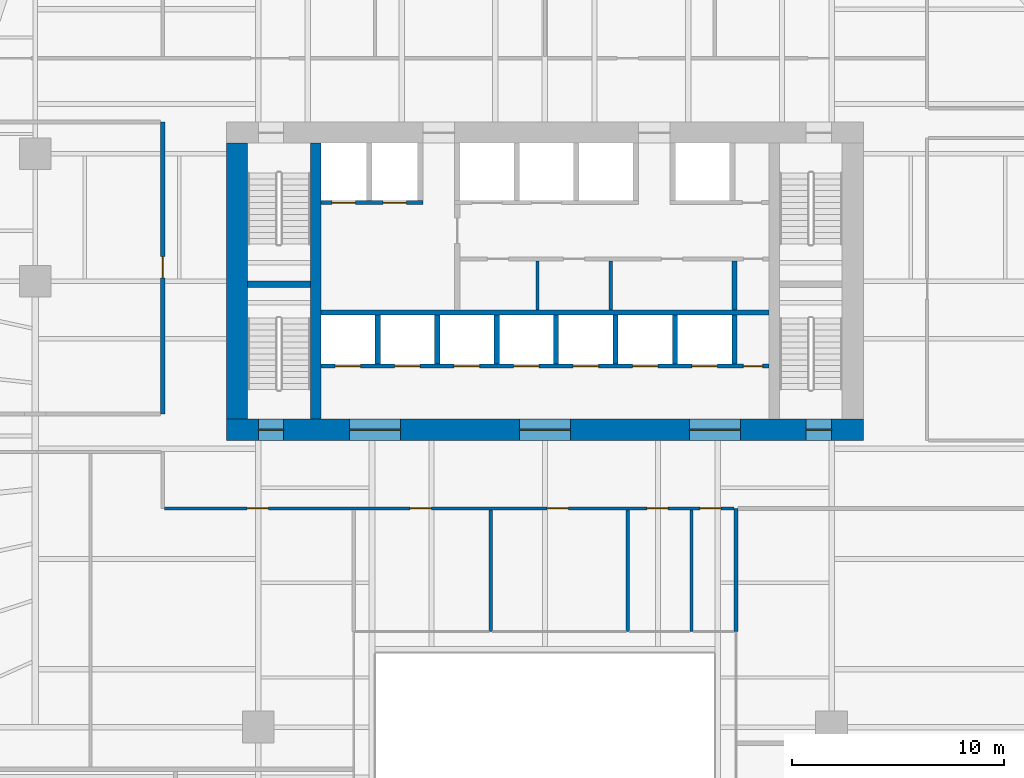
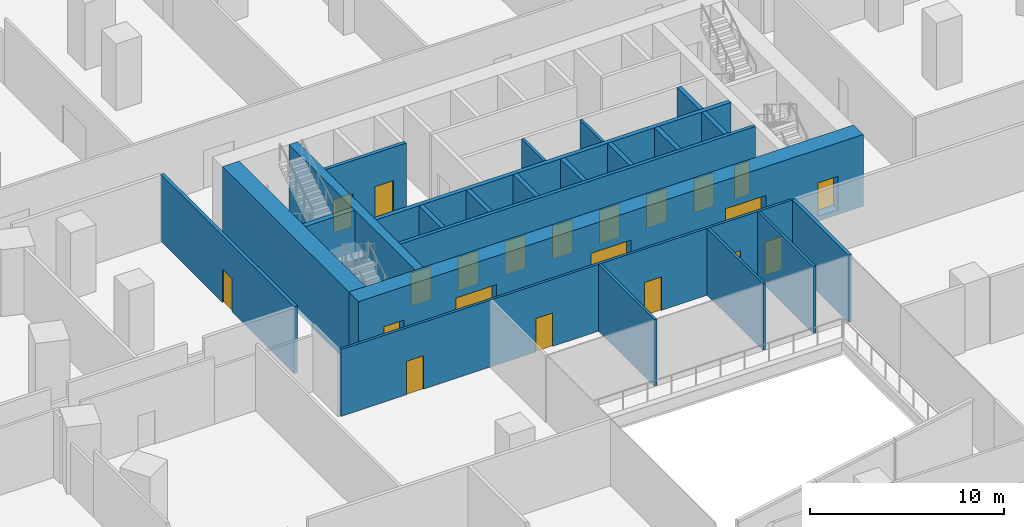
# One storey, part 17 of 29: 23 walls, 21 doors, 21 openings.
"""IFC4 building model written with IfcOpenShell, lengths in metres."""

from ifc_helpers import new_model, si_unit, direction, frame, frame_2d, origin, place, context, subcontext, project, spatial, rectangle, extrude, material, layer, layer_set, type_object, element, fill, save


model = new_model("IFC4")

# Units and contexts
model_context = context("Model", 3, precision=1e-05, world=origin(), true_north=direction((0.0, 1.0)))
body_context = subcontext(model_context, "Body", "Model", "MODEL_VIEW")
ifc_project = project(units=[si_unit("LENGTHUNIT", "METRE"), si_unit("AREAUNIT", "SQUARE_METRE"), si_unit("VOLUMEUNIT", "CUBIC_METRE"), si_unit("PLANEANGLEUNIT", "RADIAN"), si_unit("MASSUNIT", "GRAM", prefix="KILO")], contexts=[model_context])

# Site, building, storey
site_placement = place(None, origin())
site = spatial("IfcSite", under=ifc_project, at=site_placement, CompositionType="ELEMENT")
building_placement = place(site_placement, origin())
building = spatial("IfcBuilding", under=site, at=building_placement, Name="Isthmus Gate Tower", CompositionType="ELEMENT")
storey_placement = place(building_placement, frame((0.0, 0.0, 27.0)))
storey = spatial("IfcBuildingStorey", under=building, at=storey_placement, Name="L04", CompositionType="ELEMENT", Elevation=27.0)

# Wall, opening, door
ifc_material_1 = material(Name="Concrete f'c 30 MPa", Category="concrete")
ifc_layer_1 = layer(ifc_material_1, 0.199951171875)
ifc_layer_set_1 = layer_set([ifc_layer_1], Name="Fire-rated block wall 200")
wall_type_1 = type_object("IfcWallType", Name="Fire-rated block wall 200", PredefinedType="PARTITIONING", material=ifc_layer_set_1)
wall_1_placement = place(storey_placement, frame((-18.0, 1.251220703125, 0.0), z_axis=(0.0, 0.0, 1.0), x_axis=(0.0, 1.0, 0.0)))
wall_1 = element("IfcWall", 1, at=wall_1_placement, inside=storey, type_object=wall_type_1, Name="Fire-rated wall", PredefinedType="PARTITIONING", context=body_context, shape_type="SweptSolid", body=[
    extrude(rectangle(XDim=13.748779296875, YDim=0.199951171875, at=frame_2d((6.87451171875, 0.0))), origin(), (0.0, 0.0, 1.0), 4.199951171875),
])
opening_1_placement = place(wall_1_placement, frame((6.39990234375, 0.0, 0.0)))
opening_1 = element("IfcOpeningElement", 2, at=opening_1_placement, cuts=wall_1, Name="Opening DP04-39", PredefinedType="OPENING", context=body_context, shape_type="SweptSolid", body=[
    extrude(rectangle(XDim=1.0, YDim=2.10009765625, at=frame_2d((0.5, 1.050048828125))), frame((0.0, 0.10986328125, 0.0), z_axis=(0.0, -1.0, 0.0), x_axis=(1.0, 0.0, 0.0)), (0.0, 0.0, 1.0), 0.219970703125),
])
ifc_material_2 = material(Name="Steel fire door with intumescent seals", Category="steel")
door_type_1 = type_object("IfcDoorType", Name="Fire door 1000 x 2100", OperationType="SINGLE_SWING_LEFT", PredefinedType="DOOR", material=ifc_material_2)
door_1_placement = place(opening_1_placement, origin())
door_1 = element("IfcDoor", 3, at=door_1_placement, inside=storey, type_object=door_type_1, Name="Door DP04-39", OperationType="SINGLE_SWING_LEFT", OverallHeight=2.10009765625, OverallWidth=1.0, PredefinedType="DOOR", context=body_context, shape_type="SweptSolid", body=[
    extrude(rectangle(XDim=1.0, YDim=2.10009765625, at=frame_2d((0.5, 1.050048828125))), frame((0.0, 0.02490234375, 0.0), z_axis=(0.0, -1.0, 0.0), x_axis=(1.0, 0.0, 0.0)), (0.0, 0.0, 1.0), 0.050048828125),
])
fill(opening_1, door_1)

# Wall
wall_2_placement = place(storey_placement, frame((9.0, -9.0, 0.0), z_axis=(0.0, 0.0, 1.0), x_axis=(0.0, 1.0, 0.0)))
element("IfcWall", 4, at=wall_2_placement, inside=storey, type_object=wall_type_1, Name="Fire-rated wall", PredefinedType="PARTITIONING", context=body_context, shape_type="SweptSolid", body=[
    extrude(rectangle(XDim=5.800048828125, YDim=0.199951171875, at=frame_2d((2.89990234375, 0.0))), origin(), (0.0, 0.0, 1.0), 4.199951171875),
])

# Wall, openings, doors
ifc_material_3 = material(Name="Gypsum board on cold-formed steel studs", Category="steel")
ifc_layer_2 = layer(ifc_material_3, 0.14990234375)
ifc_layer_set_2 = layer_set([ifc_layer_2])
wall_type_2 = type_object("IfcWallType", Name="Partition 150 gypsum board on steel studs", PredefinedType="PARTITIONING", material=ifc_layer_set_2)
wall_3_placement = place(storey_placement, frame((-17.925048828125, -3.199951171875, 0.0), z_axis=(0.0, 0.0, 1.0), x_axis=(1.0, 0.0, 0.0)))
wall_3 = element("IfcWall", 5, at=wall_3_placement, inside=storey, type_object=wall_type_2, Name="Partition", PredefinedType="PARTITIONING", context=body_context, shape_type="SweptSolid", body=[
    extrude(rectangle(XDim=26.824951171875, YDim=0.14990234375, at=frame_2d((13.41259765625, 0.0))), origin(), (0.0, 0.0, 1.0), 4.199951171875),
])
opening_2_placement = place(wall_3_placement, frame((3.89990234375, 0.0, 0.0)))
opening_2 = element("IfcOpeningElement", 6, at=opening_2_placement, cuts=wall_3, Name="Opening DP04-17", PredefinedType="OPENING", context=body_context, shape_type="SweptSolid", body=[
    extrude(rectangle(XDim=1.0, YDim=2.10009765625, at=frame_2d((0.5, 1.050048828125))), frame((0.0, 0.0849609375, 0.0), z_axis=(0.0, -1.0, 0.0), x_axis=(1.0, 0.0, 0.0)), (0.0, 0.0, 1.0), 0.169921875),
])
opening_3_placement = place(wall_3_placement, frame((11.574951171875, 0.0, 0.0)))
opening_3 = element("IfcOpeningElement", 7, at=opening_3_placement, cuts=wall_3, Name="Opening DP04-27", PredefinedType="OPENING", context=body_context, shape_type="SweptSolid", body=[
    extrude(rectangle(XDim=1.0, YDim=2.10009765625, at=frame_2d((0.5, 1.050048828125))), frame((0.0, 0.0849609375, 0.0), z_axis=(0.0, -1.0, 0.0), x_axis=(1.0, 0.0, 0.0)), (0.0, 0.0, 1.0), 0.169921875),
])
opening_4_placement = place(wall_3_placement, frame((18.02490234375, 0.0, 0.0)))
opening_4 = element("IfcOpeningElement", 8, at=opening_4_placement, cuts=wall_3, Name="Opening DP04-28", PredefinedType="OPENING", context=body_context, shape_type="SweptSolid", body=[
    extrude(rectangle(XDim=1.0, YDim=2.10009765625, at=frame_2d((0.5, 1.050048828125))), frame((0.0, 0.0849609375, 0.0), z_axis=(0.0, -1.0, 0.0), x_axis=(1.0, 0.0, 0.0)), (0.0, 0.0, 1.0), 0.169921875),
])
opening_5_placement = place(wall_3_placement, frame((22.72509765625, 0.0, 0.0)))
opening_5 = element("IfcOpeningElement", 9, at=opening_5_placement, cuts=wall_3, Name="Opening DP04-29", PredefinedType="OPENING", context=body_context, shape_type="SweptSolid", body=[
    extrude(rectangle(XDim=1.0, YDim=2.10009765625, at=frame_2d((0.5, 1.050048828125))), frame((0.0, 0.0849609375, 0.0), z_axis=(0.0, -1.0, 0.0), x_axis=(1.0, 0.0, 0.0)), (0.0, 0.0, 1.0), 0.169921875),
])
opening_6_placement = place(wall_3_placement, frame((25.22509765625, 0.0, 0.0)))
opening_6 = element("IfcOpeningElement", 10, at=opening_6_placement, cuts=wall_3, Name="Opening DP04-30", PredefinedType="OPENING", context=body_context, shape_type="SweptSolid", body=[
    extrude(rectangle(XDim=1.0, YDim=2.10009765625, at=frame_2d((0.5, 1.050048828125))), frame((0.0, 0.0849609375, 0.0), z_axis=(0.0, -1.0, 0.0), x_axis=(1.0, 0.0, 0.0)), (0.0, 0.0, 1.0), 0.169921875),
])
ifc_material_4 = material(Name="Hollow metal frame with solid-core timber leaf", Category="wood")
door_type_2 = type_object("IfcDoorType", Name="Single swing door 1000 x 2100", OperationType="SINGLE_SWING_LEFT", PredefinedType="DOOR", material=ifc_material_4)
door_2_placement = place(opening_2_placement, origin())
door_2 = element("IfcDoor", 11, at=door_2_placement, inside=storey, type_object=door_type_2, Name="Door DP04-17", OperationType="SINGLE_SWING_LEFT", OverallHeight=2.10009765625, OverallWidth=1.0, PredefinedType="DOOR", context=body_context, shape_type="SweptSolid", body=[
    extrude(rectangle(XDim=1.0, YDim=2.10009765625, at=frame_2d((0.5, 1.050048828125))), frame((0.0, 0.02490234375, 0.0), z_axis=(0.0, -1.0, 0.0), x_axis=(1.0, 0.0, 0.0)), (0.0, 0.0, 1.0), 0.050048828125),
])
fill(opening_2, door_2)
door_3_placement = place(opening_3_placement, origin())
door_3 = element("IfcDoor", 12, at=door_3_placement, inside=storey, type_object=door_type_2, Name="Door DP04-27", OperationType="SINGLE_SWING_LEFT", OverallHeight=2.10009765625, OverallWidth=1.0, PredefinedType="DOOR", context=body_context, shape_type="SweptSolid", body=[
    extrude(rectangle(XDim=1.0, YDim=2.10009765625, at=frame_2d((0.5, 1.050048828125))), frame((0.0, 0.02490234375, 0.0), z_axis=(0.0, -1.0, 0.0), x_axis=(1.0, 0.0, 0.0)), (0.0, 0.0, 1.0), 0.050048828125),
])
fill(opening_3, door_3)
door_4_placement = place(opening_4_placement, origin())
door_4 = element("IfcDoor", 13, at=door_4_placement, inside=storey, type_object=door_type_2, Name="Door DP04-28", OperationType="SINGLE_SWING_LEFT", OverallHeight=2.10009765625, OverallWidth=1.0, PredefinedType="DOOR", context=body_context, shape_type="SweptSolid", body=[
    extrude(rectangle(XDim=1.0, YDim=2.10009765625, at=frame_2d((0.5, 1.050048828125))), frame((0.0, 0.02490234375, 0.0), z_axis=(0.0, -1.0, 0.0), x_axis=(1.0, 0.0, 0.0)), (0.0, 0.0, 1.0), 0.050048828125),
])
fill(opening_4, door_4)
door_5_placement = place(opening_5_placement, origin())
door_5 = element("IfcDoor", 14, at=door_5_placement, inside=storey, type_object=door_type_2, Name="Door DP04-29", OperationType="SINGLE_SWING_LEFT", OverallHeight=2.10009765625, OverallWidth=1.0, PredefinedType="DOOR", context=body_context, shape_type="SweptSolid", body=[
    extrude(rectangle(XDim=1.0, YDim=2.10009765625, at=frame_2d((0.5, 1.050048828125))), frame((0.0, 0.02490234375, 0.0), z_axis=(0.0, -1.0, 0.0), x_axis=(1.0, 0.0, 0.0)), (0.0, 0.0, 1.0), 0.050048828125),
])
fill(opening_5, door_5)
door_6_placement = place(opening_6_placement, origin())
door_6 = element("IfcDoor", 15, at=door_6_placement, inside=storey, type_object=door_type_2, Name="Door DP04-30", OperationType="SINGLE_SWING_LEFT", OverallHeight=2.10009765625, OverallWidth=1.0, PredefinedType="DOOR", context=body_context, shape_type="SweptSolid", body=[
    extrude(rectangle(XDim=1.0, YDim=2.10009765625, at=frame_2d((0.5, 1.050048828125))), frame((0.0, 0.02490234375, 0.0), z_axis=(0.0, -1.0, 0.0), x_axis=(1.0, 0.0, 0.0)), (0.0, 0.0, 1.0), 0.050048828125),
])
fill(opening_6, door_6)

# Walls
for number, where, z_axis, x_axis, name in (
    (16, (-2.550048828125, -9.0, 0.0), (0.0, 0.0, 1.0), (0.0, 1.0, 0.0), "Partition"),
    (17, (3.89990234375, -9.0, 0.0), (0.0, 0.0, 1.0), (0.0, 1.0, 0.0), "Partition"),
    (18, (6.89990234375, -9.0, 0.0), (0.0, 0.0, 1.0), (0.0, 1.0, 0.0), "Partition"),
):
    element("IfcWall", number, at=place(storey_placement, frame(where, z_axis=z_axis, x_axis=x_axis)), inside=storey, type_object=wall_type_2, Name=name, PredefinedType="PARTITIONING", context=body_context, shape_type="SweptSolid", body=[
        extrude(rectangle(XDim=5.72509765625, YDim=0.14990234375, at=frame_2d((2.862548828125, 0.0))), origin(), (0.0, 0.0, 1.0), 4.199951171875),
    ])
ifc_material_5 = material(Name="Concrete f'c 70 MPa", Category="concrete")
ifc_layer_3 = layer(ifc_material_5, 0.5)
ifc_layer_set_3 = layer_set([ifc_layer_3], Name="RC CORE SPINE WALL 500 F'C 70")
wall_type_3 = type_object("IfcWallType", Name="RC CORE SPINE WALL 500 F'C 70", PredefinedType="SOLIDWALL", material=ifc_layer_set_3)
wall_4_placement = place(storey_placement, frame((-10.800048828125, 1.0, -0.300048828125), z_axis=(0.0, 0.0, 1.0), x_axis=(0.0, 1.0, 0.0)))
element("IfcWall", 19, at=wall_4_placement, inside=storey, type_object=wall_type_3, Name="str-corewall-L04-SPW", PredefinedType="SOLIDWALL", context=body_context, shape_type="SweptSolid", body=[
    extrude(rectangle(XDim=13.0, YDim=0.5, at=frame_2d((6.5, 0.0))), origin(), (0.0, 0.0, 1.0), 4.5),
])

# Wall, openings, doors
ifc_material_6 = material(Name="Concrete f'c 70 MPa", Category="concrete")
ifc_layer_4 = layer(ifc_material_6, 1.0)
ifc_layer_set_4 = layer_set([ifc_layer_4], Name="RC CORE WALL 1000 F'C 70")
wall_type_4 = type_object("IfcWallType", Name="RC CORE WALL 1000 F'C 70", PredefinedType="SOLIDWALL", material=ifc_layer_set_4)
wall_5_placement = place(storey_placement, frame((-15.0, 0.5, -0.300048828125), z_axis=(0.0, 0.0, 1.0), x_axis=(1.0, 0.0, 0.0)))
wall_5 = element("IfcWall", 20, at=wall_5_placement, inside=storey, type_object=wall_type_4, Name="str-corewall-L04-S", PredefinedType="SOLIDWALL", context=body_context, shape_type="SweptSolid", body=[
    extrude(rectangle(XDim=30.0, YDim=1.0, at=frame_2d((15.0, 0.0))), origin(), (0.0, 0.0, 1.0), 4.5),
])
opening_7_placement = place(wall_5_placement, frame((5.800048828125, 0.0, 0.300048828125)))
opening_7 = element("IfcOpeningElement", 21, at=opening_7_placement, cuts=wall_5, Name="Opening DC-A05-08", PredefinedType="OPENING", context=body_context, shape_type="SweptSolid", body=[
    extrude(rectangle(XDim=2.39990234375, YDim=2.39990234375, at=frame_2d((1.199951171875, 1.199951171875))), frame((0.0, 0.510009765625, 0.0), z_axis=(0.0, -1.0, 0.0), x_axis=(1.0, 0.0, 0.0)), (0.0, 0.0, 1.0), 1.02001953125),
])
opening_8_placement = place(wall_5_placement, frame((13.800048828125, 0.0, 0.300048828125)))
opening_8 = element("IfcOpeningElement", 22, at=opening_8_placement, cuts=wall_5, Name="Opening DC-A05-09", PredefinedType="OPENING", context=body_context, shape_type="SweptSolid", body=[
    extrude(rectangle(XDim=2.39990234375, YDim=2.39990234375, at=frame_2d((1.199951171875, 1.199951171875))), frame((0.0, 0.510009765625, 0.0), z_axis=(0.0, -1.0, 0.0), x_axis=(1.0, 0.0, 0.0)), (0.0, 0.0, 1.0), 1.02001953125),
])
opening_9_placement = place(wall_5_placement, frame((21.800048828125, 0.0, 0.300048828125)))
opening_9 = element("IfcOpeningElement", 23, at=opening_9_placement, cuts=wall_5, Name="Opening DC-A05-10", PredefinedType="OPENING", context=body_context, shape_type="SweptSolid", body=[
    extrude(rectangle(XDim=2.39990234375, YDim=2.39990234375, at=frame_2d((1.199951171875, 1.199951171875))), frame((0.0, 0.510009765625, 0.0), z_axis=(0.0, -1.0, 0.0), x_axis=(1.0, 0.0, 0.0)), (0.0, 0.0, 1.0), 1.02001953125),
])
opening_10_placement = place(wall_5_placement, frame((1.5, 0.0, 0.300048828125)))
opening_10 = element("IfcOpeningElement", 24, at=opening_10_placement, cuts=wall_5, Name="Opening DC-A05-15", PredefinedType="OPENING", context=body_context, shape_type="SweptSolid", body=[
    extrude(rectangle(XDim=1.199951171875, YDim=2.10009765625, at=frame_2d((0.60009765625, 1.050048828125))), frame((0.0, 0.510009765625, 0.0), z_axis=(0.0, -1.0, 0.0), x_axis=(1.0, 0.0, 0.0)), (0.0, 0.0, 1.0), 1.02001953125),
])
opening_11_placement = place(wall_5_placement, frame((27.300048828125, 0.0, 0.300048828125)))
opening_11 = element("IfcOpeningElement", 25, at=opening_11_placement, cuts=wall_5, Name="Opening DC-A05-16", PredefinedType="OPENING", context=body_context, shape_type="SweptSolid", body=[
    extrude(rectangle(XDim=1.199951171875, YDim=2.10009765625, at=frame_2d((0.60009765625, 1.050048828125))), frame((0.0, 0.510009765625, 0.0), z_axis=(0.0, -1.0, 0.0), x_axis=(1.0, 0.0, 0.0)), (0.0, 0.0, 1.0), 1.02001953125),
])
ifc_material_7 = material(Name="Laminated safety glass in steel frame, fire-rated", Category="steel")
door_type_3 = type_object("IfcDoorType", Name="LOBBY ENTRANCE FIRE DOOR 2400 X 2400 60 MIN", OperationType="DOUBLE_DOOR_DOUBLE_SWING", PredefinedType="DOOR", material=ifc_material_7)
door_7_placement = place(opening_7_placement, origin())
door_7 = element("IfcDoor", 26, at=door_7_placement, inside=storey, type_object=door_type_3, Name="Lobby Entrance PS-W", OperationType="DOUBLE_DOOR_DOUBLE_SWING", OverallHeight=2.39990234375, OverallWidth=2.39990234375, PredefinedType="DOOR", context=body_context, shape_type="SweptSolid", body=[
    extrude(rectangle(XDim=2.39990234375, YDim=2.39990234375, at=frame_2d((1.199951171875, 1.199951171875))), frame((0.0, 0.02490234375, 0.0), z_axis=(0.0, -1.0, 0.0), x_axis=(1.0, 0.0, 0.0)), (0.0, 0.0, 1.0), 0.050048828125),
])
fill(opening_7, door_7)
door_8_placement = place(opening_8_placement, origin())
door_8 = element("IfcDoor", 27, at=door_8_placement, inside=storey, type_object=door_type_3, Name="Lobby Entrance PS-C", OperationType="DOUBLE_DOOR_DOUBLE_SWING", OverallHeight=2.39990234375, OverallWidth=2.39990234375, PredefinedType="DOOR", context=body_context, shape_type="SweptSolid", body=[
    extrude(rectangle(XDim=2.39990234375, YDim=2.39990234375, at=frame_2d((1.199951171875, 1.199951171875))), frame((0.0, 0.02490234375, 0.0), z_axis=(0.0, -1.0, 0.0), x_axis=(1.0, 0.0, 0.0)), (0.0, 0.0, 1.0), 0.050048828125),
])
fill(opening_8, door_8)
door_9_placement = place(opening_9_placement, origin())
door_9 = element("IfcDoor", 28, at=door_9_placement, inside=storey, type_object=door_type_3, Name="Lobby Entrance PS-E", OperationType="DOUBLE_DOOR_DOUBLE_SWING", OverallHeight=2.39990234375, OverallWidth=2.39990234375, PredefinedType="DOOR", context=body_context, shape_type="SweptSolid", body=[
    extrude(rectangle(XDim=2.39990234375, YDim=2.39990234375, at=frame_2d((1.199951171875, 1.199951171875))), frame((0.0, 0.02490234375, 0.0), z_axis=(0.0, -1.0, 0.0), x_axis=(1.0, 0.0, 0.0)), (0.0, 0.0, 1.0), 0.050048828125),
])
fill(opening_9, door_9)
ifc_material_8 = material(Name="Steel door leaf, fire-rated", Category="steel")
door_type_4 = type_object("IfcDoorType", Name="STAIR FIRE DOOR 1200 X 2100 90 MIN", OperationType="SINGLE_SWING_LEFT", PredefinedType="DOOR", material=ifc_material_8)
door_10_placement = place(opening_10_placement, origin())
door_10 = element("IfcDoor", 29, at=door_10_placement, inside=storey, type_object=door_type_4, Name="Exit Stair 7 Door", OperationType="SINGLE_SWING_LEFT", OverallHeight=2.10009765625, OverallWidth=1.199951171875, PredefinedType="DOOR", context=body_context, shape_type="SweptSolid", body=[
    extrude(rectangle(XDim=1.199951171875, YDim=2.10009765625, at=frame_2d((0.60009765625, 1.050048828125))), frame((0.0, 0.02490234375, 0.0), z_axis=(0.0, -1.0, 0.0), x_axis=(1.0, 0.0, 0.0)), (0.0, 0.0, 1.0), 0.050048828125),
])
fill(opening_10, door_10)
door_11_placement = place(opening_11_placement, origin())
door_11 = element("IfcDoor", 30, at=door_11_placement, inside=storey, type_object=door_type_4, Name="Exit Stair 8 Door", OperationType="SINGLE_SWING_RIGHT", OverallHeight=2.10009765625, OverallWidth=1.199951171875, PredefinedType="DOOR", context=body_context, shape_type="SweptSolid", body=[
    extrude(rectangle(XDim=1.199951171875, YDim=2.10009765625, at=frame_2d((0.60009765625, 1.050048828125))), frame((0.0, 0.02490234375, 0.0), z_axis=(0.0, -1.0, 0.0), x_axis=(1.0, 0.0, 0.0)), (0.0, 0.0, 1.0), 0.050048828125),
])
fill(opening_11, door_11)

# Walls
wall_6_placement = place(storey_placement, frame((-14.5, 1.0, -0.300048828125), z_axis=(0.0, 0.0, 1.0), x_axis=(0.0, 1.0, 0.0)))
element("IfcWall", 31, at=wall_6_placement, inside=storey, type_object=wall_type_4, Name="str-corewall-L04-W", PredefinedType="SOLIDWALL", context=body_context, shape_type="SweptSolid", body=[
    extrude(rectangle(XDim=13.0, YDim=1.0, at=frame_2d((6.5, 0.0))), origin(), (0.0, 0.0, 1.0), 4.5),
])
ifc_material_9 = material(Name="Gypsum board on steel studs, fire-rated", Category="steel")
ifc_layer_5 = layer(ifc_material_9, 0.14990234375)
ifc_layer_set_5 = layer_set([ifc_layer_5], Name="ROOM PARTITION 150 60 MIN")
wall_type_5 = type_object("IfcWallType", Name="ROOM PARTITION 150 60 MIN", PredefinedType="PARTITIONING", material=ifc_layer_set_5)
for number, where, z_axis, x_axis, name in (
    (32, (-0.35009765625, 6.14990234375, 0.0), (0.0, 0.0, 1.0), (0.0, 1.0, 0.0), "L04 ROOM PARTITION 150 60 MIN"),
    (33, (3.10009765625, 6.14990234375, 0.0), (0.0, 0.0, 1.0), (0.0, 1.0, 0.0), "L04 ROOM PARTITION 150 60 MIN"),
):
    element("IfcWall", number, at=place(storey_placement, frame(where, z_axis=z_axis, x_axis=x_axis)), inside=storey, type_object=wall_type_5, Name=name, PredefinedType="PARTITIONING", context=body_context, shape_type="SweptSolid", body=[
        extrude(rectangle(XDim=2.300048828125, YDim=0.14990234375, at=frame_2d((1.14990234375, 0.0))), origin(), (0.0, 0.0, 1.0), 4.199951171875),
    ])

# Wall, openings, doors
ifc_material_10 = material(Name="Fire-rated blockwork masonry, 15 MPa", Category="masonry")
ifc_layer_6 = layer(ifc_material_10, 0.199951171875)
ifc_layer_set_6 = layer_set([ifc_layer_6], Name="SHAFT FRONT WALL 200 120 MIN")
wall_type_6 = type_object("IfcWallType", Name="SHAFT FRONT WALL 200 120 MIN", PredefinedType="PARTITIONING", material=ifc_layer_set_6)
wall_7_placement = place(storey_placement, frame((-10.550048828125, 3.5, 0.0), z_axis=(0.0, 0.0, 1.0), x_axis=(1.0, 0.0, 0.0)))
wall_7 = element("IfcWall", 34, at=wall_7_placement, inside=storey, type_object=wall_type_6, Name="L04 SHAFT FRONT WALL 200 120 MIN", PredefinedType="PARTITIONING", context=body_context, shape_type="SweptSolid", body=[
    extrude(rectangle(XDim=21.10009765625, YDim=0.199951171875, at=frame_2d((10.550048828125, 0.0))), origin(), (0.0, 0.0, 1.0), 4.199951171875),
])
opening_12_placement = place(wall_7_placement, frame((0.675048828125, 0.0, 0.0)))
opening_12 = element("IfcOpeningElement", 35, at=opening_12_placement, cuts=wall_7, Name="Opening LD-LA1", PredefinedType="OPENING", context=body_context, shape_type="SweptSolid", body=[
    extrude(rectangle(XDim=1.199951171875, YDim=2.10009765625, at=frame_2d((0.60009765625, 1.050048828125))), frame((0.0, 0.10986328125, 0.0), z_axis=(0.0, -1.0, 0.0), x_axis=(1.0, 0.0, 0.0)), (0.0, 0.0, 1.0), 0.219970703125),
])
opening_13_placement = place(wall_7_placement, frame((3.47509765625, 0.0, 0.0)))
opening_13 = element("IfcOpeningElement", 36, at=opening_13_placement, cuts=wall_7, Name="Opening LD-LA2", PredefinedType="OPENING", context=body_context, shape_type="SweptSolid", body=[
    extrude(rectangle(XDim=1.199951171875, YDim=2.10009765625, at=frame_2d((0.60009765625, 1.050048828125))), frame((0.0, 0.10986328125, 0.0), z_axis=(0.0, -1.0, 0.0), x_axis=(1.0, 0.0, 0.0)), (0.0, 0.0, 1.0), 0.219970703125),
])
opening_14_placement = place(wall_7_placement, frame((6.27490234375, 0.0, 0.0)))
opening_14 = element("IfcOpeningElement", 37, at=opening_14_placement, cuts=wall_7, Name="Opening LD-LA3", PredefinedType="OPENING", context=body_context, shape_type="SweptSolid", body=[
    extrude(rectangle(XDim=1.199951171875, YDim=2.10009765625, at=frame_2d((0.60009765625, 1.050048828125))), frame((0.0, 0.10986328125, 0.0), z_axis=(0.0, -1.0, 0.0), x_axis=(1.0, 0.0, 0.0)), (0.0, 0.0, 1.0), 0.219970703125),
])
opening_15_placement = place(wall_7_placement, frame((9.074951171875, 0.0, 0.0)))
opening_15 = element("IfcOpeningElement", 38, at=opening_15_placement, cuts=wall_7, Name="Opening LD-LA4", PredefinedType="OPENING", context=body_context, shape_type="SweptSolid", body=[
    extrude(rectangle(XDim=1.199951171875, YDim=2.10009765625, at=frame_2d((0.60009765625, 1.050048828125))), frame((0.0, 0.10986328125, 0.0), z_axis=(0.0, -1.0, 0.0), x_axis=(1.0, 0.0, 0.0)), (0.0, 0.0, 1.0), 0.219970703125),
])
opening_16_placement = place(wall_7_placement, frame((11.875, 0.0, 0.0)))
opening_16 = element("IfcOpeningElement", 39, at=opening_16_placement, cuts=wall_7, Name="Opening LD-LA5", PredefinedType="OPENING", context=body_context, shape_type="SweptSolid", body=[
    extrude(rectangle(XDim=1.199951171875, YDim=2.10009765625, at=frame_2d((0.60009765625, 1.050048828125))), frame((0.0, 0.10986328125, 0.0), z_axis=(0.0, -1.0, 0.0), x_axis=(1.0, 0.0, 0.0)), (0.0, 0.0, 1.0), 0.219970703125),
])
opening_17_placement = place(wall_7_placement, frame((14.675048828125, 0.0, 0.0)))
opening_17 = element("IfcOpeningElement", 40, at=opening_17_placement, cuts=wall_7, Name="Opening LD-LA6", PredefinedType="OPENING", context=body_context, shape_type="SweptSolid", body=[
    extrude(rectangle(XDim=1.199951171875, YDim=2.10009765625, at=frame_2d((0.60009765625, 1.050048828125))), frame((0.0, 0.10986328125, 0.0), z_axis=(0.0, -1.0, 0.0), x_axis=(1.0, 0.0, 0.0)), (0.0, 0.0, 1.0), 0.219970703125),
])
opening_18_placement = place(wall_7_placement, frame((17.47509765625, 0.0, 0.0)))
opening_18 = element("IfcOpeningElement", 41, at=opening_18_placement, cuts=wall_7, Name="Opening LD-LA7", PredefinedType="OPENING", context=body_context, shape_type="SweptSolid", body=[
    extrude(rectangle(XDim=1.199951171875, YDim=2.10009765625, at=frame_2d((0.60009765625, 1.050048828125))), frame((0.0, 0.10986328125, 0.0), z_axis=(0.0, -1.0, 0.0), x_axis=(1.0, 0.0, 0.0)), (0.0, 0.0, 1.0), 0.219970703125),
])
opening_19_placement = place(wall_7_placement, frame((19.89990234375, 0.0, 0.0)))
opening_19 = element("IfcOpeningElement", 42, at=opening_19_placement, cuts=wall_7, Name="Opening DC-A05-02", PredefinedType="OPENING", context=body_context, shape_type="SweptSolid", body=[
    extrude(rectangle(XDim=0.89990234375, YDim=2.10009765625, at=frame_2d((0.449951171875, 1.050048828125))), frame((0.0, 0.10986328125, 0.0), z_axis=(0.0, -1.0, 0.0), x_axis=(1.0, 0.0, 0.0)), (0.0, 0.0, 1.0), 0.219970703125),
])
ifc_material_11 = material(Name="Stainless steel sliding leaf", Category="steel")
door_type_5 = type_object("IfcDoorType", Name="LIFT LANDING FIRE DOOR 1200 X 2100 90 MIN", OperationType="DOUBLE_DOOR_SLIDING", PredefinedType="DOOR", material=ifc_material_11)
door_12_placement = place(opening_12_placement, origin())
door_12 = element("IfcDoor", 43, at=door_12_placement, inside=storey, type_object=door_type_5, Name="Lift Landing Door LA1", OperationType="DOUBLE_DOOR_SLIDING", OverallHeight=2.10009765625, OverallWidth=1.199951171875, PredefinedType="DOOR", context=body_context, shape_type="SweptSolid", body=[
    extrude(rectangle(XDim=1.199951171875, YDim=2.10009765625, at=frame_2d((0.60009765625, 1.050048828125))), frame((0.0, 0.02490234375, 0.0), z_axis=(0.0, -1.0, 0.0), x_axis=(1.0, 0.0, 0.0)), (0.0, 0.0, 1.0), 0.050048828125),
])
fill(opening_12, door_12)
door_13_placement = place(opening_13_placement, origin())
door_13 = element("IfcDoor", 44, at=door_13_placement, inside=storey, type_object=door_type_5, Name="Lift Landing Door LA2", OperationType="DOUBLE_DOOR_SLIDING", OverallHeight=2.10009765625, OverallWidth=1.199951171875, PredefinedType="DOOR", context=body_context, shape_type="SweptSolid", body=[
    extrude(rectangle(XDim=1.199951171875, YDim=2.10009765625, at=frame_2d((0.60009765625, 1.050048828125))), frame((0.0, 0.02490234375, 0.0), z_axis=(0.0, -1.0, 0.0), x_axis=(1.0, 0.0, 0.0)), (0.0, 0.0, 1.0), 0.050048828125),
])
fill(opening_13, door_13)
door_14_placement = place(opening_14_placement, origin())
door_14 = element("IfcDoor", 45, at=door_14_placement, inside=storey, type_object=door_type_5, Name="Lift Landing Door LA3", OperationType="DOUBLE_DOOR_SLIDING", OverallHeight=2.10009765625, OverallWidth=1.199951171875, PredefinedType="DOOR", context=body_context, shape_type="SweptSolid", body=[
    extrude(rectangle(XDim=1.199951171875, YDim=2.10009765625, at=frame_2d((0.60009765625, 1.050048828125))), frame((0.0, 0.02490234375, 0.0), z_axis=(0.0, -1.0, 0.0), x_axis=(1.0, 0.0, 0.0)), (0.0, 0.0, 1.0), 0.050048828125),
])
fill(opening_14, door_14)
door_15_placement = place(opening_15_placement, origin())
door_15 = element("IfcDoor", 46, at=door_15_placement, inside=storey, type_object=door_type_5, Name="Lift Landing Door LA4", OperationType="DOUBLE_DOOR_SLIDING", OverallHeight=2.10009765625, OverallWidth=1.199951171875, PredefinedType="DOOR", context=body_context, shape_type="SweptSolid", body=[
    extrude(rectangle(XDim=1.199951171875, YDim=2.10009765625, at=frame_2d((0.60009765625, 1.050048828125))), frame((0.0, 0.02490234375, 0.0), z_axis=(0.0, -1.0, 0.0), x_axis=(1.0, 0.0, 0.0)), (0.0, 0.0, 1.0), 0.050048828125),
])
fill(opening_15, door_15)
door_16_placement = place(opening_16_placement, origin())
door_16 = element("IfcDoor", 47, at=door_16_placement, inside=storey, type_object=door_type_5, Name="Lift Landing Door LA5", OperationType="DOUBLE_DOOR_SLIDING", OverallHeight=2.10009765625, OverallWidth=1.199951171875, PredefinedType="DOOR", context=body_context, shape_type="SweptSolid", body=[
    extrude(rectangle(XDim=1.199951171875, YDim=2.10009765625, at=frame_2d((0.60009765625, 1.050048828125))), frame((0.0, 0.02490234375, 0.0), z_axis=(0.0, -1.0, 0.0), x_axis=(1.0, 0.0, 0.0)), (0.0, 0.0, 1.0), 0.050048828125),
])
fill(opening_16, door_16)
door_17_placement = place(opening_17_placement, origin())
door_17 = element("IfcDoor", 48, at=door_17_placement, inside=storey, type_object=door_type_5, Name="Lift Landing Door LA6", OperationType="DOUBLE_DOOR_SLIDING", OverallHeight=2.10009765625, OverallWidth=1.199951171875, PredefinedType="DOOR", context=body_context, shape_type="SweptSolid", body=[
    extrude(rectangle(XDim=1.199951171875, YDim=2.10009765625, at=frame_2d((0.60009765625, 1.050048828125))), frame((0.0, 0.02490234375, 0.0), z_axis=(0.0, -1.0, 0.0), x_axis=(1.0, 0.0, 0.0)), (0.0, 0.0, 1.0), 0.050048828125),
])
fill(opening_17, door_17)
door_18_placement = place(opening_18_placement, origin())
door_18 = element("IfcDoor", 49, at=door_18_placement, inside=storey, type_object=door_type_5, Name="Lift Landing Door LA7", OperationType="DOUBLE_DOOR_SLIDING", OverallHeight=2.10009765625, OverallWidth=1.199951171875, PredefinedType="DOOR", context=body_context, shape_type="SweptSolid", body=[
    extrude(rectangle(XDim=1.199951171875, YDim=2.10009765625, at=frame_2d((0.60009765625, 1.050048828125))), frame((0.0, 0.02490234375, 0.0), z_axis=(0.0, -1.0, 0.0), x_axis=(1.0, 0.0, 0.0)), (0.0, 0.0, 1.0), 0.050048828125),
])
fill(opening_18, door_18)
ifc_material_12 = material(Name="Steel door leaf, fire-rated", Category="steel")
door_type_6 = type_object("IfcDoorType", Name="RISER FIRE DOOR 900 X 2100 90 MIN", OperationType="SINGLE_SWING_LEFT", PredefinedType="DOOR", material=ifc_material_12)
door_19_placement = place(opening_19_placement, origin())
door_19 = element("IfcDoor", 50, at=door_19_placement, inside=storey, type_object=door_type_6, Name="Riser Door", OperationType="SINGLE_SWING_RIGHT", OverallHeight=2.10009765625, OverallWidth=0.89990234375, PredefinedType="DOOR", context=body_context, shape_type="SweptSolid", body=[
    extrude(rectangle(XDim=0.89990234375, YDim=2.10009765625, at=frame_2d((0.449951171875, 1.050048828125))), frame((0.0, 0.02490234375, 0.0), z_axis=(0.0, -1.0, 0.0), x_axis=(1.0, 0.0, 0.0)), (0.0, 0.0, 1.0), 0.050048828125),
])
fill(opening_19, door_19)

wall_8_placement = place(storey_placement, frame((-10.550048828125, 11.199951171875, 0.0), z_axis=(0.0, 0.0, 1.0), x_axis=(1.0, 0.0, 0.0)))
wall_8 = element("IfcWall", 51, at=wall_8_placement, inside=storey, type_object=wall_type_6, Name="L04 SHAFT FRONT WALL 200 120 MIN", PredefinedType="PARTITIONING", context=body_context, shape_type="SweptSolid", body=[
    extrude(rectangle(XDim=4.800048828125, YDim=0.199951171875, at=frame_2d((2.39990234375, 0.0))), origin(), (0.0, 0.0, 1.0), 4.199951171875),
])
opening_20_placement = place(wall_8_placement, frame((0.52490234375, 0.0, 0.0)))
opening_20 = element("IfcOpeningElement", 52, at=opening_20_placement, cuts=wall_8, Name="Opening LD-LF1", PredefinedType="OPENING", context=body_context, shape_type="SweptSolid", body=[
    extrude(rectangle(XDim=1.10009765625, YDim=2.10009765625, at=frame_2d((0.550048828125, 1.050048828125))), frame((0.0, 0.10986328125, 0.0), z_axis=(0.0, -1.0, 0.0), x_axis=(1.0, 0.0, 0.0)), (0.0, 0.0, 1.0), 0.219970703125),
])
opening_21_placement = place(wall_8_placement, frame((2.925048828125, 0.0, 0.0)))
opening_21 = element("IfcOpeningElement", 53, at=opening_21_placement, cuts=wall_8, Name="Opening LD-LF2", PredefinedType="OPENING", context=body_context, shape_type="SweptSolid", body=[
    extrude(rectangle(XDim=1.10009765625, YDim=2.10009765625, at=frame_2d((0.550048828125, 1.050048828125))), frame((0.0, 0.10986328125, 0.0), z_axis=(0.0, -1.0, 0.0), x_axis=(1.0, 0.0, 0.0)), (0.0, 0.0, 1.0), 0.219970703125),
])
ifc_material_13 = material(Name="Stainless steel sliding leaf", Category="steel")
door_type_7 = type_object("IfcDoorType", Name="LIFT LANDING FIRE DOOR 1100 X 2100 90 MIN", OperationType="DOUBLE_DOOR_SLIDING", PredefinedType="DOOR", material=ifc_material_13)
door_20_placement = place(opening_20_placement, origin())
door_20 = element("IfcDoor", 54, at=door_20_placement, inside=storey, type_object=door_type_7, Name="Lift Landing Door LF1", OperationType="DOUBLE_DOOR_SLIDING", OverallHeight=2.10009765625, OverallWidth=1.10009765625, PredefinedType="DOOR", context=body_context, shape_type="SweptSolid", body=[
    extrude(rectangle(XDim=1.10009765625, YDim=2.10009765625, at=frame_2d((0.550048828125, 1.050048828125))), frame((0.0, 0.02490234375, 0.0), z_axis=(0.0, -1.0, 0.0), x_axis=(1.0, 0.0, 0.0)), (0.0, 0.0, 1.0), 0.050048828125),
])
fill(opening_20, door_20)
door_21_placement = place(opening_21_placement, origin())
door_21 = element("IfcDoor", 55, at=door_21_placement, inside=storey, type_object=door_type_7, Name="Lift Landing Door LF2", OperationType="DOUBLE_DOOR_SLIDING", OverallHeight=2.10009765625, OverallWidth=1.10009765625, PredefinedType="DOOR", context=body_context, shape_type="SweptSolid", body=[
    extrude(rectangle(XDim=1.10009765625, YDim=2.10009765625, at=frame_2d((0.550048828125, 1.050048828125))), frame((0.0, 0.02490234375, 0.0), z_axis=(0.0, -1.0, 0.0), x_axis=(1.0, 0.0, 0.0)), (0.0, 0.0, 1.0), 0.050048828125),
])
fill(opening_21, door_21)

# Walls
ifc_material_14 = material(Name="Fire-rated blockwork masonry, 15 MPa", Category="masonry")
ifc_layer_7 = layer(ifc_material_14, 0.25)
ifc_layer_set_7 = layer_set([ifc_layer_7], Name="SHAFT WALL 250 120 MIN")
wall_type_7 = type_object("IfcWallType", Name="SHAFT WALL 250 120 MIN", PredefinedType="PARTITIONING", material=ifc_layer_set_7)
wall_9_placement = place(storey_placement, frame((-10.550048828125, 6.02490234375, 0.0), z_axis=(0.0, 0.0, 1.0), x_axis=(1.0, 0.0, 0.0)))
element("IfcWall", 56, at=wall_9_placement, inside=storey, type_object=wall_type_7, Name="L04 SHAFT WALL 250 120 MIN", PredefinedType="PARTITIONING", context=body_context, shape_type="SweptSolid", body=[
    extrude(rectangle(XDim=21.10009765625, YDim=0.25, at=frame_2d((10.550048828125, 0.0))), origin(), (0.0, 0.0, 1.0), 4.199951171875),
])
for number, where, z_axis, x_axis, name in (
    (57, (-7.875, 3.60009765625, 0.0), (0.0, 0.0, 1.0), (0.0, 1.0, 0.0), "L04 SHAFT WALL 250 120 MIN"),
    (58, (-5.074951171875, 3.60009765625, 0.0), (0.0, 0.0, 1.0), (0.0, 1.0, 0.0), "L04 SHAFT WALL 250 120 MIN"),
    (59, (-2.27490234375, 3.60009765625, 0.0), (0.0, 0.0, 1.0), (0.0, 1.0, 0.0), "L04 SHAFT WALL 250 120 MIN"),
    (60, (0.52490234375, 3.60009765625, 0.0), (0.0, 0.0, 1.0), (0.0, 1.0, 0.0), "L04 SHAFT WALL 250 120 MIN"),
    (61, (3.324951171875, 3.60009765625, 0.0), (0.0, 0.0, 1.0), (0.0, 1.0, 0.0), "L04 SHAFT WALL 250 120 MIN"),
    (62, (6.125, 3.60009765625, 0.0), (0.0, 0.0, 1.0), (0.0, 1.0, 0.0), "L04 SHAFT WALL 250 120 MIN"),
    (63, (8.925048828125, 3.60009765625, 0.0), (0.0, 0.0, 1.0), (0.0, 1.0, 0.0), "L04 SHAFT WALL 250 120 MIN"),
):
    element("IfcWall", number, at=place(storey_placement, frame(where, z_axis=z_axis, x_axis=x_axis)), inside=storey, type_object=wall_type_7, Name=name, PredefinedType="PARTITIONING", context=body_context, shape_type="SweptSolid", body=[
        extrude(rectangle(XDim=2.2998046875, YDim=0.25, at=frame_2d((1.14990234375, 0.0))), origin(), (0.0, 0.0, 1.0), 4.199951171875),
    ])
wall_10_placement = place(storey_placement, frame((8.925048828125, 6.14990234375, 0.0), z_axis=(0.0, 0.0, 1.0), x_axis=(0.0, 1.0, 0.0)))
element("IfcWall", 64, at=wall_10_placement, inside=storey, type_object=wall_type_7, Name="L04 SHAFT WALL 250 120 MIN", PredefinedType="PARTITIONING", context=body_context, shape_type="SweptSolid", body=[
    extrude(rectangle(XDim=2.300048828125, YDim=0.25, at=frame_2d((1.14990234375, 0.0))), origin(), (0.0, 0.0, 1.0), 4.199951171875),
])
ifc_material_15 = material(Name="Concrete f'c 40 MPa", Category="concrete")
ifc_layer_8 = layer(ifc_material_15, 0.300048828125)
ifc_layer_set_8 = layer_set([ifc_layer_8], Name="STAIR ENCLOSURE WALL 300 180 MIN")
wall_type_8 = type_object("IfcWallType", Name="STAIR ENCLOSURE WALL 300 180 MIN", PredefinedType="SOLIDWALL", material=ifc_layer_set_8)
wall_11_placement = place(storey_placement, frame((-14.0, 7.35009765625, -0.300048828125), z_axis=(0.0, 0.0, 1.0), x_axis=(1.0, 0.0, 0.0)))
element("IfcWall", 65, at=wall_11_placement, inside=storey, type_object=wall_type_8, Name="L04 STAIR ENCLOSURE WALL 300 180 MIN", PredefinedType="SOLIDWALL", context=body_context, shape_type="SweptSolid", body=[
    extrude(rectangle(XDim=2.949951171875, YDim=0.300048828125, at=frame_2d((1.47509765625, 0.0))), origin(), (0.0, 0.0, 1.0), 4.5),
])

save(model, "model.ifc")
